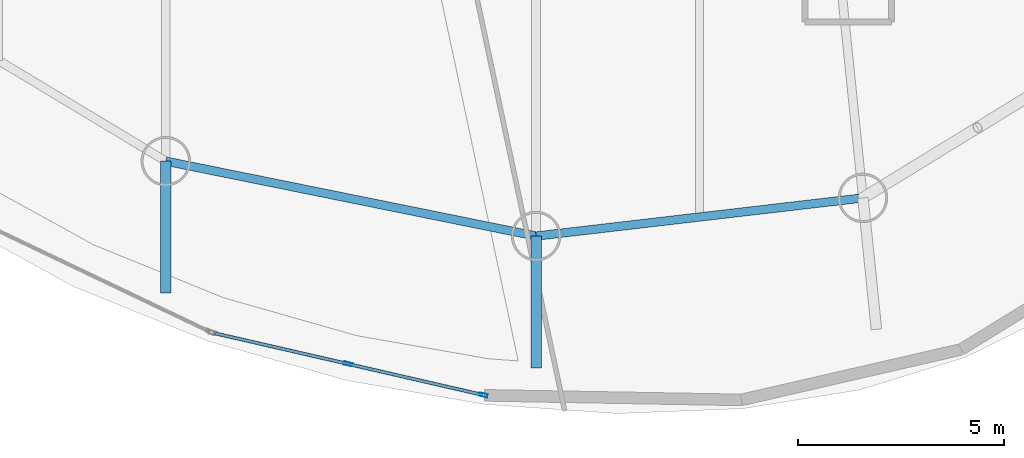
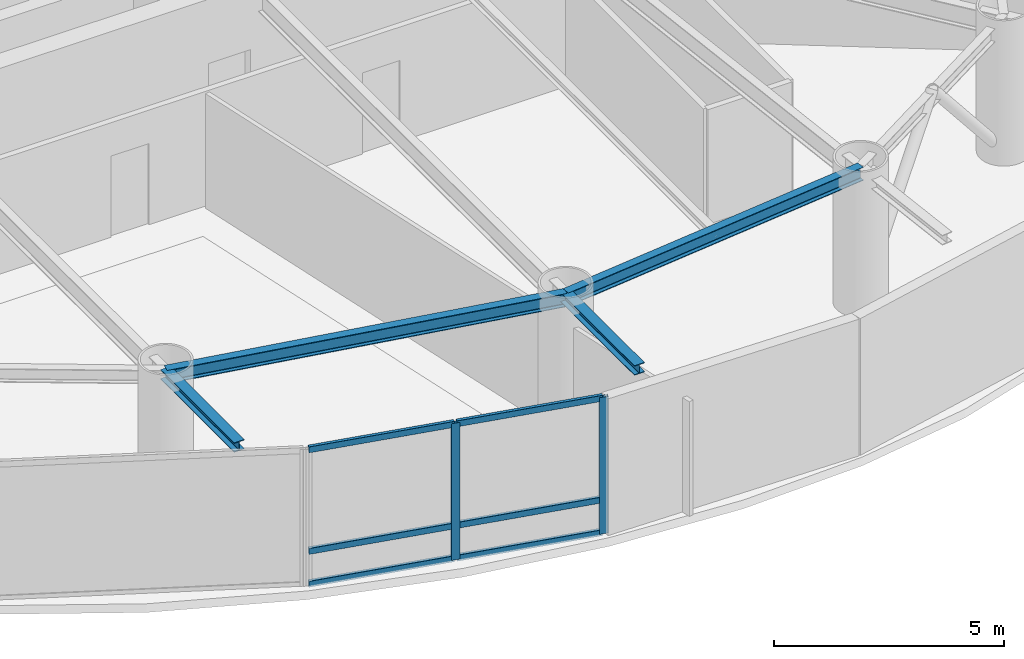
# One storey, part 4 of 22: 8 members, 4 beams, 1 element without a shape of its own.
"""IFC4 building model written with IfcOpenShell, lengths in metres."""

import ifcopenshell
import ifcopenshell.guid

model = None  # the IFC model being written
_history = None  # IfcOwnerHistory: only IFC2X3 demands one
_inside = {}  # id of a spatial element -> (the spatial element, [elements in it])
_under = {}  # id of a project, library or spatial element -> (it, [spatial elements below it])
_declared = {}  # id of a project -> (the project, [libraries it declares])
_typed = {}  # id of a type object -> (the type object, [elements of that type])
_made_of = {}  # id of a material, layer set ... -> (it, [elements and type objects made of it])


def new_model(schema):
    """Start an empty IFC model of exactly this schema.

    Asked for "IFC4X3", IfcOpenShell would pick the latest addendum, in which some entities
    have other attributes; the version numbers below select the first issue.
    IFC2X3 requires an IfcOwnerHistory on every rooted entity: one is made here for all.
    """
    global model, _history
    if schema == "IFC4X3":
        model = ifcopenshell.file(schema_version=(4, 3, 0, 0))
    else:
        model = ifcopenshell.file(schema=schema)
    _inside.clear()
    _under.clear()
    _declared.clear()
    _typed.clear()
    _made_of.clear()
    _history = None
    if model.schema == "IFC2X3":
        org = make("IfcOrganization", Name="unknown")
        user = make(
            "IfcPersonAndOrganization",
            ThePerson=make("IfcPerson", FamilyName="unknown"),
            TheOrganization=org,
        )
        app = make(
            "IfcApplication",
            ApplicationDeveloper=org,
            Version="unknown",
            ApplicationFullName="unknown",
            ApplicationIdentifier="unknown",
        )
        _history = make(
            "IfcOwnerHistory",
            OwningUser=user,
            OwningApplication=app,
            ChangeAction="ADDED",
            CreationDate=0,
        )
    return model


def make(cls, **values):
    """One entity of the class cls with the attributes given. An attribute that is None is left unset."""
    return model.create_entity(
        cls, **{name: value for name, value in values.items() if value is not None}
    )


def rooted(cls, **values):
    """An entity with a GlobalId (a new one), such as an element, a storey or a relation."""
    return make(cls, GlobalId=ifcopenshell.guid.new(), OwnerHistory=_history, **values)


def si_unit(unit_type, name, prefix=None):
    """IfcSIUnit, for example si_unit("LENGTHUNIT", "METRE", prefix="MILLI")."""
    return make("IfcSIUnit", UnitType=unit_type, Prefix=prefix, Name=name)


def assignment(units):
    """IfcUnitAssignment: the units of a project."""
    return None if units is None else make("IfcUnitAssignment", Units=units)


def point(xyz):
    """IfcCartesianPoint."""
    return None if xyz is None else make("IfcCartesianPoint", Coordinates=xyz)


def direction(xyz):
    """IfcDirection."""
    return None if xyz is None else make("IfcDirection", DirectionRatios=xyz)


def frame(location, z_axis=None, x_axis=None):
    """IfcAxis2Placement3D, a coordinate frame: its origin and axes. An axis left out is left unset."""
    return make(
        "IfcAxis2Placement3D",
        Location=point(location),
        Axis=direction(z_axis),
        RefDirection=direction(x_axis),
    )


def frame_2d(location, x_axis=None):
    """IfcAxis2Placement2D, a coordinate frame in the plane: its origin and x axis."""
    return make(
        "IfcAxis2Placement2D", Location=point(location), RefDirection=direction(x_axis)
    )


def origin():
    """The frame at (0, 0, 0) with its axes left unset."""
    return frame((0.0, 0.0, 0.0))


def origin_2d():
    """The frame at (0, 0) in the plane with its x axis left unset."""
    return frame_2d((0.0, 0.0))


def place(relative_to, where):
    """IfcLocalPlacement: puts the frame where relative to a parent placement (None: the world)."""
    return make(
        "IfcLocalPlacement", PlacementRelTo=relative_to, RelativePlacement=where
    )


def context(
    kind, dimensions, precision=None, world=None, true_north=None, identifier=None
):
    """IfcGeometricRepresentationContext, for example the 3D "Model" context."""
    return make(
        "IfcGeometricRepresentationContext",
        ContextIdentifier=identifier,
        ContextType=kind,
        CoordinateSpaceDimension=dimensions,
        Precision=precision,
        WorldCoordinateSystem=world,
        TrueNorth=true_north,
    )


def subcontext(parent, identifier, kind, view, scale=None):
    """IfcGeometricRepresentationSubContext, for example "Body" below "Model"."""
    return make(
        "IfcGeometricRepresentationSubContext",
        ContextIdentifier=identifier,
        ContextType=kind,
        ParentContext=parent,
        TargetScale=scale,
        TargetView=view,
    )


def project(units=None, contexts=None):
    """IfcProject with its units and contexts."""
    return rooted(
        "IfcProject",
        Name="project",
        RepresentationContexts=contexts,
        UnitsInContext=assignment(units),
    )


def spatial(cls, under=None, at=None, **own):
    """A site, building, storey or space (cls), placed at a placement, below another one or the project."""
    s = rooted(cls, ObjectPlacement=at, **own)
    if under is not None:
        _under.setdefault(under.id(), (under, []))[1].append(s)
    return s


def profile(cls, at=None, kind="AREA", **sizes):
    """A parametric profile (cls). Its sizes go by their IFC names, for example OverallWidth=200.0."""
    return make(cls, ProfileType=kind, Position=at, **sizes)


def hollow_rectangle(**sizes):
    """IfcRectangleHollowProfileDef."""
    return profile("IfcRectangleHollowProfileDef", **sizes)


def i_section(**sizes):
    """IfcIShapeProfileDef."""
    return profile("IfcIShapeProfileDef", **sizes)


def extrude(swept, where, along, depth):
    """IfcExtrudedAreaSolid: the profile swept, set in the frame where, extruded along a direction by depth."""
    return make(
        "IfcExtrudedAreaSolid",
        SweptArea=swept,
        Position=where,
        ExtrudedDirection=direction(along),
        Depth=depth,
    )


def shape(context_of_items, identifier, shape_type, items):
    """IfcShapeRepresentation: the items that make up one representation, for example the "Body"."""
    return make(
        "IfcShapeRepresentation",
        ContextOfItems=context_of_items,
        RepresentationIdentifier=identifier,
        RepresentationType=shape_type,
        Items=items,
    )


def material(Name=None, Category=None):
    """IfcMaterial."""
    return make("IfcMaterial", Name=Name, Category=Category)


def layer(
    of_material, thickness, ventilated=None, Name=None, Category=None, Priority=None
):
    """IfcMaterialLayer: one layer of a wall or slab, of a material (None: an air gap)."""
    return make(
        "IfcMaterialLayer",
        Material=of_material,
        LayerThickness=thickness,
        IsVentilated=ventilated,
        Name=Name,
        Category=Category,
        Priority=Priority,
    )


def layer_set(layers, Name=None):
    """IfcMaterialLayerSet."""
    return make("IfcMaterialLayerSet", MaterialLayers=layers, LayerSetName=Name)


def material_profile(
    of_material, cross_section, Name=None, Category=None, Priority=None
):
    """IfcMaterialProfile: a cross section and its material."""
    return make(
        "IfcMaterialProfile",
        Name=Name,
        Material=of_material,
        Profile=cross_section,
        Priority=Priority,
        Category=Category,
    )


def profile_set(profiles, Name=None, composite=None):
    """IfcMaterialProfileSet."""
    return make(
        "IfcMaterialProfileSet",
        Name=Name,
        MaterialProfiles=profiles,
        CompositeProfile=composite,
    )


def made_of(thing, what):
    """Note that an element or type object is made of a material, layer set ...; save() writes the relation."""
    if what is not None:
        _made_of.setdefault(what.id(), (what, []))[1].append(thing)
    return thing


def type_object(cls, material=None, **own):
    """A type object (cls), such as IfcWallType, which elements share."""
    return made_of(rooted(cls, **own), material)


def element(
    cls,
    number,
    at=None,
    inside=None,
    cuts=None,
    type_object=None,
    material=None,
    context=None,
    identifier="Body",
    shape_type=None,
    held_by="IfcProductDefinitionShape",
    body=None,
    shapes=None,
    **own,
):
    """One element of the class cls, such as IfcWall. Its Tag is "e" and its number.

    at: its placement. inside: the storey or other place that contains it. cuts: it is an
    opening in that element (IfcRelVoidsElement). A single representation is given by context,
    identifier, shape_type and body (its items); several are given by shapes. held_by: the class
    of the entity that holds the representations. save() writes the other relations.
    """
    e = rooted(cls, Tag="e%d" % number, ObjectPlacement=at, **own)
    if body is not None:
        shapes = [shape(context, identifier, shape_type, body)]
    if shapes is not None:
        e.Representation = make(held_by, Representations=shapes)
    if inside is not None:
        _inside.setdefault(inside.id(), (inside, []))[1].append(e)
    if cuts is not None:
        rooted(
            "IfcRelVoidsElement", RelatingBuildingElement=cuts, RelatedOpeningElement=e
        )
    if type_object is not None:
        _typed.setdefault(type_object.id(), (type_object, []))[1].append(e)
    return made_of(e, material)


def aggregate(whole, parts):
    """IfcRelAggregates: a whole, such as a stair, and the parts it consists of."""
    return rooted("IfcRelAggregates", RelatingObject=whole, RelatedObjects=parts)


def save(model, path):
    """Write the relations noted so far, then the file.

    IfcRelAggregates (storeys below a building ...), IfcRelContainedInSpatialStructure (elements
    in a storey), IfcRelDefinesByType, IfcRelAssociatesMaterial and IfcRelDeclares: one each for
    every whole, place, type object, material and project.
    """
    for whole, parts in _under.values():
        aggregate(whole, parts)
    for where, things in _inside.values():
        rooted(
            "IfcRelContainedInSpatialStructure",
            RelatedElements=things,
            RelatingStructure=where,
        )
    for kind, things in _typed.values():
        rooted("IfcRelDefinesByType", RelatedObjects=things, RelatingType=kind)
    for what, things in _made_of.values():
        rooted("IfcRelAssociatesMaterial", RelatedObjects=things, RelatingMaterial=what)
    for by, libraries in _declared.values():
        rooted("IfcRelDeclares", RelatingContext=by, RelatedDefinitions=libraries)
    model.write(path)


model = new_model("IFC4")

# Units and contexts
model_context = context("Model", 3, precision=1e-05, world=origin(), true_north=direction((0.0, 1.0)))
body_context = subcontext(model_context, "Body", "Model", "MODEL_VIEW")
ifc_project = project(units=[si_unit("LENGTHUNIT", "METRE"), si_unit("AREAUNIT", "SQUARE_METRE"), si_unit("VOLUMEUNIT", "CUBIC_METRE"), si_unit("PLANEANGLEUNIT", "RADIAN"), si_unit("MASSUNIT", "GRAM", prefix="KILO")], contexts=[model_context])

# Site, building, storey
site_placement = place(None, origin())
site = spatial("IfcSite", under=ifc_project, at=site_placement, CompositionType="ELEMENT")
building_placement = place(site_placement, origin())
building = spatial("IfcBuilding", under=site, at=building_placement, Name="Bramvorn Convention Spire", CompositionType="ELEMENT")
storey_placement = place(building_placement, frame((0.0, 0.0, 221.25)))
storey = spatial("IfcBuildingStorey", under=building, at=storey_placement, Name="L56", CompositionType="ELEMENT", Elevation=221.25)

# Beams
ifc_material_1 = material(Name="Steel CSA G40.21 Grade 350 (350W)", Category="steel")
ifc_material_profile_1 = material_profile(ifc_material_1, i_section(OverallWidth=0.25390625, OverallDepth=0.2529296875, WebThickness=0.008544921875, FlangeThickness=0.01416015625, FilletRadius=0.011962890625, at=origin_2d()))
ifc_profile_set_1 = profile_set([ifc_material_profile_1], Name="Steel CSA G40.21 Grade 350 (350W) - W250X73")
beam_type_1 = type_object("IfcBeamType", Name="BM-W250X73", PredefinedType="BEAM", material=ifc_profile_set_1)
for number, where, z_axis, x_axis, name in (
    (1, (33.61083984375, 7.227783203125, 3.493408203125), (0.0, -1.0, 0.0), (1.0, 0.0, 0.0), "L56 slab-edge cantilever tip beam MC14"),
    (2, (42.583740234375, 5.41162109375, 3.493408203125), (0.0, -1.0, 0.0), (1.0, 0.0, 0.0), "L56 slab-edge cantilever tip beam MC15"),
):
    element("IfcBeam", number, at=place(storey_placement, frame(where, z_axis=z_axis, x_axis=x_axis)), inside=storey, type_object=beam_type_1, Name=name, PredefinedType="BEAM", context=body_context, shape_type="SweptSolid", body=[
        extrude(i_section(OverallWidth=0.25390625, OverallDepth=0.2529296875, WebThickness=0.008544921875, FlangeThickness=0.01416015625, FilletRadius=0.011962890625, at=origin_2d()), origin(), (0.0, 0.0, 1.0), 3.199951171875),
    ])
ifc_material_profile_2 = material_profile(ifc_material_1, i_section(OverallWidth=0.205078125, OverallDepth=0.35400390625, WebThickness=0.009521484375, FlangeThickness=0.016845703125, FilletRadius=0.014892578125, at=origin_2d()))
ifc_profile_set_2 = profile_set([ifc_material_profile_2], Name="Steel CSA G40.21 Grade 350 (350W) - W360X79")
beam_type_2 = type_object("IfcBeamType", Name="BM-W360X79", PredefinedType="JOIST", material=ifc_profile_set_2)
beam_1_placement = place(storey_placement, frame((33.61083984375, 7.227783203125, 3.443115234375), z_axis=(0.980124701676, -0.198382381187, 0.0), x_axis=(0.198382381187, 0.980124701676, 0.0)))
element("IfcBeam", 3, at=beam_1_placement, inside=storey, type_object=beam_type_2, Name="L56 mega-column ring beam 14", PredefinedType="JOIST", context=body_context, shape_type="SweptSolid", body=[
    extrude(i_section(OverallWidth=0.205078125, OverallDepth=0.35400390625, WebThickness=0.009521484375, FlangeThickness=0.016845703125, FilletRadius=0.014892578125, at=origin_2d()), origin(), (0.0, 0.0, 1.0), 9.15478515625),
])
beam_2_placement = place(storey_placement, frame((42.583740234375, 5.41162109375, 3.443115234375), z_axis=(0.993256148339, 0.115940604561, 0.0), x_axis=(-0.115940604561, 0.993256148339, 0.0)))
element("IfcBeam", 4, at=beam_2_placement, inside=storey, type_object=beam_type_2, Name="L56 mega-column ring beam 15", PredefinedType="JOIST", context=body_context, shape_type="SweptSolid", body=[
    extrude(i_section(OverallWidth=0.205078125, OverallDepth=0.35400390625, WebThickness=0.009521484375, FlangeThickness=0.016845703125, FilletRadius=0.014892578125, at=origin_2d()), origin(), (0.0, 0.0, 1.0), 7.974365234375),
])

# Curtain wall, members
ifc_material_2 = material(Name="Anodised Bronze Unitised Curtain Wall", Category="aluminium")
ifc_layer = layer(ifc_material_2, 0.179931640625)
ifc_layer_set = layer_set([ifc_layer], Name="Anodised Bronze Unitised Curtain Wall - CW-OFF-FRIT")
curtain_wall_type = type_object("IfcCurtainWallType", Name="CW-OFF-FRIT", PredefinedType="USERDEFINED", material=ifc_layer_set)
curtain_wall_placement = place(storey_placement, origin())
curtain_wall = element("IfcCurtainWall", 5, at=curtain_wall_placement, inside=storey, type_object=curtain_wall_type, Name="L56 fritted glass curtain wall 21", ObjectType="UNITISED CURTAIN WALL", PredefinedType="USERDEFINED")
ifc_material_3 = material(Name="Anodised Bronze Aluminium 6063-T6", Category="aluminium")
ifc_material_profile_3 = material_profile(ifc_material_3, hollow_rectangle(XDim=0.080078125, YDim=0.199951171875, WallThickness=0.00390625, InnerFilletRadius=0.0009765625, OuterFilletRadius=0.00390625, at=origin_2d()))
ifc_profile_set_3 = profile_set([ifc_material_profile_3], Name="Anodised Bronze Aluminium 6063-T6 - CWM80X200")
member_type_1 = type_object("IfcMemberType", Name="CW-MUL-180", PredefinedType="MULLION", material=ifc_profile_set_3)
member_1_placement = place(storey_placement, frame((41.30615234375, 1.559326171875, 0.0), z_axis=(0.0, 0.0, 1.0), x_axis=(-0.224055298751, -0.974576432663, 0.0)))
member_1 = element("IfcMember", 6, at=member_1_placement, type_object=member_type_1, Name="CW3 mullion 1", PredefinedType="MULLION", context=body_context, shape_type="SweptSolid", body=[
    extrude(hollow_rectangle(XDim=0.080078125, YDim=0.199951171875, WallThickness=0.00390625, InnerFilletRadius=0.0009765625, OuterFilletRadius=0.00390625, at=origin_2d()), origin(), (0.0, 0.0, 1.0), 3.6201171875),
])
member_2_placement = place(storey_placement, frame((38.029296875, 2.312744140625, 0.0), z_axis=(0.0, 0.0, 1.0), x_axis=(-0.224055298751, -0.974576432663, 0.0)))
member_2 = element("IfcMember", 7, at=member_2_placement, type_object=member_type_1, Name="CW3 mullion 2", PredefinedType="MULLION", context=body_context, shape_type="SweptSolid", body=[
    extrude(hollow_rectangle(XDim=0.080078125, YDim=0.199951171875, WallThickness=0.00390625, InnerFilletRadius=0.0009765625, OuterFilletRadius=0.00390625, at=origin_2d()), origin(), (0.0, 0.0, 1.0), 3.6201171875),
])
ifc_material_profile_4 = material_profile(ifc_material_3, hollow_rectangle(XDim=0.080078125, YDim=0.159912109375, WallThickness=0.00390625, InnerFilletRadius=0.0009765625, OuterFilletRadius=0.00390625, at=origin_2d()))
ifc_profile_set_4 = profile_set([ifc_material_profile_4], Name="Anodised Bronze Aluminium 6063-T6 - CWT80X160")
member_type_2 = type_object("IfcMemberType", Name="CW-TRN-150", PredefinedType="USERDEFINED", material=ifc_profile_set_4)
member_3_placement = place(storey_placement, frame((41.27685546875, 1.566162109375, 0.030029296875), z_axis=(-0.974585217326, 0.224017084547, 0.0), x_axis=(-0.224017084547, -0.974585217326, 0.0)))
member_3 = element("IfcMember", 8, at=member_3_placement, type_object=member_type_2, Name="CW3 transom 1.1", ObjectType="TRANSOM", PredefinedType="USERDEFINED", context=body_context, shape_type="SweptSolid", body=[
    extrude(hollow_rectangle(XDim=0.080078125, YDim=0.159912109375, WallThickness=0.00390625, InnerFilletRadius=0.0009765625, OuterFilletRadius=0.00390625, at=origin_2d()), origin(), (0.0, 0.0, 1.0), 3.30224609375),
])
member_4_placement = place(storey_placement, frame((41.27685546875, 1.566162109375, 0.89990234375), z_axis=(-0.974585217326, 0.224017084547, 0.0), x_axis=(-0.224017084547, -0.974585217326, 0.0)))
member_4 = element("IfcMember", 9, at=member_4_placement, type_object=member_type_2, Name="CW3 transom 1.2", ObjectType="TRANSOM", PredefinedType="USERDEFINED", context=body_context, shape_type="SweptSolid", body=[
    extrude(hollow_rectangle(XDim=0.080078125, YDim=0.159912109375, WallThickness=0.00390625, InnerFilletRadius=0.0009765625, OuterFilletRadius=0.00390625, at=origin_2d()), origin(), (0.0, 0.0, 1.0), 3.30224609375),
])
member_5_placement = place(storey_placement, frame((41.27685546875, 1.566162109375, 3.590087890625), z_axis=(-0.974585217326, 0.224017084547, 0.0), x_axis=(-0.224017084547, -0.974585217326, 0.0)))
member_5 = element("IfcMember", 10, at=member_5_placement, type_object=member_type_2, Name="CW3 transom 1.3", ObjectType="TRANSOM", PredefinedType="USERDEFINED", context=body_context, shape_type="SweptSolid", body=[
    extrude(hollow_rectangle(XDim=0.080078125, YDim=0.159912109375, WallThickness=0.00390625, InnerFilletRadius=0.0009765625, OuterFilletRadius=0.00390625, at=origin_2d()), origin(), (0.0, 0.0, 1.0), 3.30224609375),
])
member_6_placement = place(storey_placement, frame((38.0, 2.319580078125, 0.030029296875), z_axis=(-0.974585217326, 0.224017084547, 0.0), x_axis=(-0.224017084547, -0.974585217326, 0.0)))
member_6 = element("IfcMember", 11, at=member_6_placement, type_object=member_type_2, Name="CW3 transom 2.1", ObjectType="TRANSOM", PredefinedType="USERDEFINED", context=body_context, shape_type="SweptSolid", body=[
    extrude(hollow_rectangle(XDim=0.080078125, YDim=0.159912109375, WallThickness=0.00390625, InnerFilletRadius=0.0009765625, OuterFilletRadius=0.00390625, at=origin_2d()), origin(), (0.0, 0.0, 1.0), 3.30224609375),
])
member_7_placement = place(storey_placement, frame((38.0, 2.319580078125, 0.89990234375), z_axis=(-0.974585217326, 0.224017084547, 0.0), x_axis=(-0.224017084547, -0.974585217326, 0.0)))
member_7 = element("IfcMember", 12, at=member_7_placement, type_object=member_type_2, Name="CW3 transom 2.2", ObjectType="TRANSOM", PredefinedType="USERDEFINED", context=body_context, shape_type="SweptSolid", body=[
    extrude(hollow_rectangle(XDim=0.080078125, YDim=0.159912109375, WallThickness=0.00390625, InnerFilletRadius=0.0009765625, OuterFilletRadius=0.00390625, at=origin_2d()), origin(), (0.0, 0.0, 1.0), 3.30224609375),
])
member_8_placement = place(storey_placement, frame((38.0, 2.319580078125, 3.590087890625), z_axis=(-0.974585217326, 0.224017084547, 0.0), x_axis=(-0.224017084547, -0.974585217326, 0.0)))
member_8 = element("IfcMember", 13, at=member_8_placement, type_object=member_type_2, Name="CW3 transom 2.3", ObjectType="TRANSOM", PredefinedType="USERDEFINED", context=body_context, shape_type="SweptSolid", body=[
    extrude(hollow_rectangle(XDim=0.080078125, YDim=0.159912109375, WallThickness=0.00390625, InnerFilletRadius=0.0009765625, OuterFilletRadius=0.00390625, at=origin_2d()), origin(), (0.0, 0.0, 1.0), 3.30224609375),
])
aggregate(curtain_wall, [member_1, member_2, member_3, member_4, member_5, member_6, member_7, member_8])

save(model, "model.ifc")
